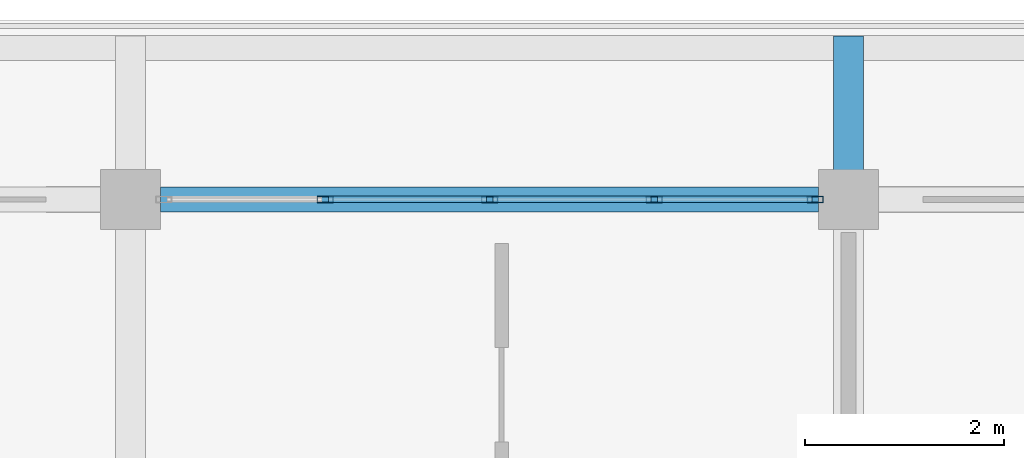
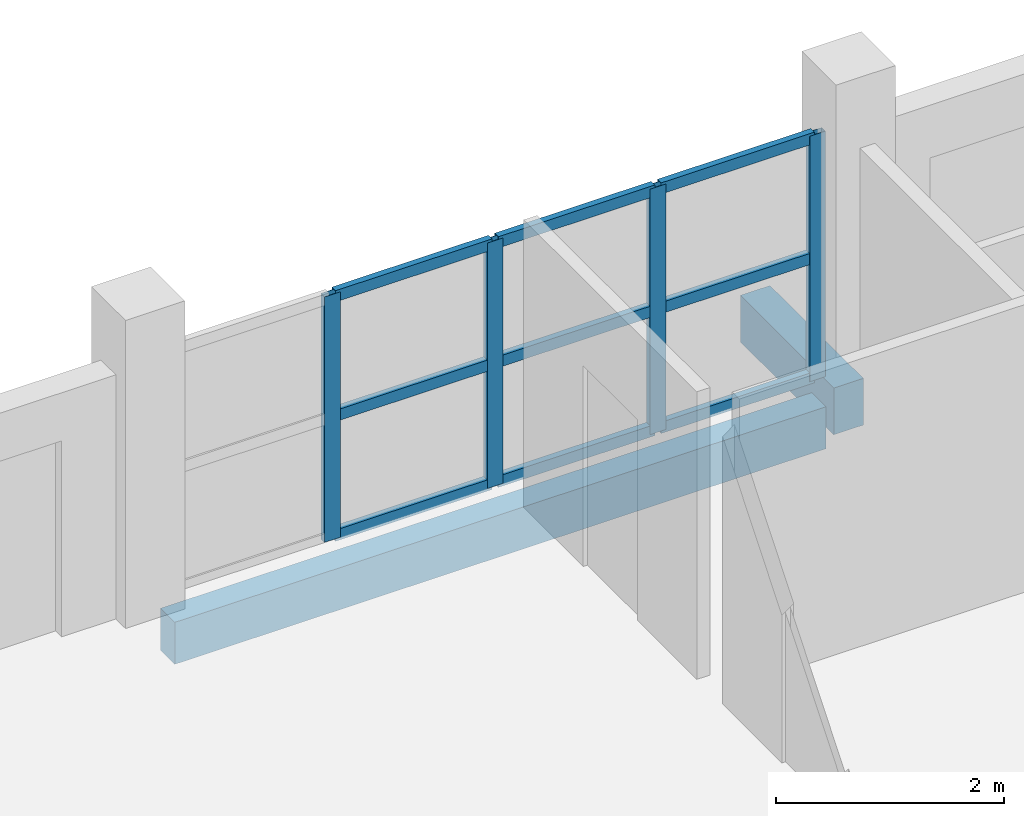
# One storey, part 8 of 60: 13 members, 2 beams, 1 element without a shape of its own.
"""IFC4 building model written with IfcOpenShell, lengths in metres."""

from ifc_helpers import new_model, si_unit, direction, frame, origin, origin_2d, place, context, subcontext, project, spatial, rectangle, hollow_rectangle, extrude, material, material_profile, profile_set, type_object, element, aggregate, save


model = new_model("IFC4")

# Units and contexts
model_context = context("Model", 3, precision=1e-05, world=origin(), true_north=direction((0.0, 1.0)))
body_context = subcontext(model_context, "Body", "Model", "MODEL_VIEW")
ifc_project = project(units=[si_unit("LENGTHUNIT", "METRE"), si_unit("AREAUNIT", "SQUARE_METRE"), si_unit("VOLUMEUNIT", "CUBIC_METRE"), si_unit("PLANEANGLEUNIT", "RADIAN"), si_unit("MASSUNIT", "GRAM", prefix="KILO")], contexts=[model_context])

# Site, building, storey
site_placement = place(None, origin())
site = spatial("IfcSite", under=ifc_project, at=site_placement, CompositionType="ELEMENT")
building_placement = place(site_placement, origin())
building = spatial("IfcBuilding", under=site, at=building_placement, Name="Suanplinth Sawtooth Commons", CompositionType="ELEMENT")
storey_placement = place(building_placement, frame((0.0, 0.0, 31.5)))
storey = spatial("IfcBuildingStorey", under=building, at=storey_placement, Name="L09", CompositionType="ELEMENT", Elevation=31.5)

# Beams
ifc_material_1 = material(Name="Precast concrete C40/50", Category="concrete")
ifc_material_profile_1 = material_profile(ifc_material_1, rectangle(XDim=0.300048828125, YDim=0.5, at=origin_2d()), Name="PC-BM 300x500")
ifc_profile_set_1 = profile_set([ifc_material_profile_1], Name="Precast concrete C40/50")
beam_type_1 = type_object("IfcBeamType", Name="B-07", PredefinedType="BEAM", material=ifc_profile_set_1)
beam_1_placement = place(storey_placement, frame((36.0, 122.39990234375, -0.429931640625), z_axis=(0.0, 1.0, 0.0), x_axis=(-1.0, 0.0, 0.0)))
element("IfcBeam", 1, at=beam_1_placement, inside=storey, type_object=beam_type_1, Name="Balcony Outrigger L09-A-N-5", PredefinedType="BEAM", context=body_context, shape_type="SweptSolid", body=[
    extrude(rectangle(XDim=0.300048828125, YDim=0.5, at=origin_2d()), origin(), (0.0, 0.0, 1.0), 1.64013671875),
])
ifc_material_profile_2 = material_profile(ifc_material_1, rectangle(XDim=0.25, YDim=0.449951171875, at=origin_2d()), Name="PC-SP 250x450")
ifc_profile_set_2 = profile_set([ifc_material_profile_2], Name="Precast concrete C40/50")
beam_type_2 = type_object("IfcBeamType", Name="B-09", PredefinedType="SPANDREL", material=ifc_profile_set_2)
beam_2_placement = place(storey_placement, frame((29.10009765625, 122.39990234375, -0.47509765625), z_axis=(1.0, 0.0, 0.0), x_axis=(0.0, 1.0, 0.0)))
element("IfcBeam", 2, at=beam_2_placement, inside=storey, type_object=beam_type_2, Name="BMX-L09-A-4-17", PredefinedType="SPANDREL", context=body_context, shape_type="SweptSolid", body=[
    extrude(rectangle(XDim=0.25, YDim=0.449951171875, at=origin_2d()), origin(), (0.0, 0.0, 1.0), 6.599853515625),
])

# Curtain wall, members
ifc_material_2 = material(Name="Anodized aluminium and low-E glazing", Category="aluminium")
curtain_wall_type = type_object("IfcCurtainWallType", Name="CW-06", PredefinedType="USERDEFINED", material=ifc_material_2)
curtain_wall_placement = place(storey_placement, origin())
curtain_wall = element("IfcCurtainWall", 3, at=curtain_wall_placement, inside=storey, type_object=curtain_wall_type, Name="Curtain Wall CW-L09-A-LOUNGE-2", ObjectType="CURTAIN WALL", PredefinedType="USERDEFINED")
ifc_material_3 = material(Name="Anodized aluminium 6063-T6", Category="aluminium")
ifc_material_profile_3 = material_profile(ifc_material_3, hollow_rectangle(XDim=0.06494140625, YDim=0.159912109375, WallThickness=0.00390625, at=origin_2d()), Name="ALU-MUL 65x160")
ifc_profile_set_3 = profile_set([ifc_material_profile_3], Name="Anodized aluminium 6063-T6")
member_type_1 = type_object("IfcMemberType", Name="M-13", PredefinedType="MULLION", material=ifc_profile_set_3)
member_1_placement = place(storey_placement, frame((30.75, 122.39990234375, 0.0), z_axis=(0.0, 0.0, 1.0), x_axis=(0.0, 1.0, 0.0)))
member_1 = element("IfcMember", 4, at=member_1_placement, type_object=member_type_1, Name="CW-06 mullion 2", PredefinedType="MULLION", context=body_context, shape_type="SweptSolid", body=[
    extrude(hollow_rectangle(XDim=0.06494140625, YDim=0.159912109375, WallThickness=0.00390625, at=origin_2d()), origin(), (0.0, 0.0, 1.0), 2.6298828125),
])
member_2_placement = place(storey_placement, frame((32.39990234375, 122.39990234375, 0.0), z_axis=(0.0, 0.0, 1.0), x_axis=(0.0, 1.0, 0.0)))
member_2 = element("IfcMember", 5, at=member_2_placement, type_object=member_type_1, Name="CW-06 mullion 3", PredefinedType="MULLION", context=body_context, shape_type="SweptSolid", body=[
    extrude(hollow_rectangle(XDim=0.06494140625, YDim=0.159912109375, WallThickness=0.00390625, at=origin_2d()), origin(), (0.0, 0.0, 1.0), 2.6298828125),
])
member_3_placement = place(storey_placement, frame((34.050048828125, 122.39990234375, 0.0), z_axis=(0.0, 0.0, 1.0), x_axis=(0.0, 1.0, 0.0)))
member_3 = element("IfcMember", 6, at=member_3_placement, type_object=member_type_1, Name="CW-06 mullion 4", PredefinedType="MULLION", context=body_context, shape_type="SweptSolid", body=[
    extrude(hollow_rectangle(XDim=0.06494140625, YDim=0.159912109375, WallThickness=0.00390625, at=origin_2d()), origin(), (0.0, 0.0, 1.0), 2.6298828125),
])
member_4_placement = place(storey_placement, frame((35.66748046875, 122.39990234375, 0.0), z_axis=(0.0, 0.0, 1.0), x_axis=(0.0, 1.0, 0.0)))
member_4 = element("IfcMember", 7, at=member_4_placement, type_object=member_type_1, Name="CW-06 mullion 5", PredefinedType="MULLION", context=body_context, shape_type="SweptSolid", body=[
    extrude(hollow_rectangle(XDim=0.06494140625, YDim=0.159912109375, WallThickness=0.00390625, at=origin_2d()), origin(), (0.0, 0.0, 1.0), 2.6298828125),
])
ifc_material_profile_4 = material_profile(ifc_material_3, hollow_rectangle(XDim=0.06494140625, YDim=0.1201171875, WallThickness=0.00390625, at=origin_2d()), Name="ALU-TRN 65x120")
ifc_profile_set_4 = profile_set([ifc_material_profile_4], Name="Anodized aluminium 6063-T6")
member_type_2 = type_object("IfcMemberType", Name="M-15", PredefinedType="USERDEFINED", material=ifc_profile_set_4)
member_5_placement = place(storey_placement, frame((30.782470703125, 122.39990234375, 0.032470703125), z_axis=(1.0, 0.0, 0.0), x_axis=(0.0, 1.0, 0.0)))
member_5 = element("IfcMember", 8, at=member_5_placement, type_object=member_type_2, Name="CW-06 transom 2.1", ObjectType="TRANSOM", PredefinedType="USERDEFINED", context=body_context, shape_type="SweptSolid", body=[
    extrude(hollow_rectangle(XDim=0.06494140625, YDim=0.1201171875, WallThickness=0.00390625, at=origin_2d()), origin(), (0.0, 0.0, 1.0), 1.5849609375),
])
member_6_placement = place(storey_placement, frame((30.782470703125, 122.39990234375, 1.31494140625), z_axis=(1.0, 0.0, 0.0), x_axis=(0.0, 1.0, 0.0)))
member_6 = element("IfcMember", 9, at=member_6_placement, type_object=member_type_2, Name="CW-06 transom 2.2", ObjectType="TRANSOM", PredefinedType="USERDEFINED", context=body_context, shape_type="SweptSolid", body=[
    extrude(hollow_rectangle(XDim=0.06494140625, YDim=0.1201171875, WallThickness=0.00390625, at=origin_2d()), origin(), (0.0, 0.0, 1.0), 1.5849609375),
])
member_7_placement = place(storey_placement, frame((30.782470703125, 122.39990234375, 2.597412109375), z_axis=(1.0, 0.0, 0.0), x_axis=(0.0, 1.0, 0.0)))
member_7 = element("IfcMember", 10, at=member_7_placement, type_object=member_type_2, Name="CW-06 transom 2.3", ObjectType="TRANSOM", PredefinedType="USERDEFINED", context=body_context, shape_type="SweptSolid", body=[
    extrude(hollow_rectangle(XDim=0.06494140625, YDim=0.1201171875, WallThickness=0.00390625, at=origin_2d()), origin(), (0.0, 0.0, 1.0), 1.5849609375),
])
member_8_placement = place(storey_placement, frame((32.4326171875, 122.39990234375, 0.032470703125), z_axis=(1.0, 0.0, 0.0), x_axis=(0.0, 1.0, 0.0)))
member_8 = element("IfcMember", 11, at=member_8_placement, type_object=member_type_2, Name="CW-06 transom 3.1", ObjectType="TRANSOM", PredefinedType="USERDEFINED", context=body_context, shape_type="SweptSolid", body=[
    extrude(hollow_rectangle(XDim=0.06494140625, YDim=0.1201171875, WallThickness=0.00390625, at=origin_2d()), origin(), (0.0, 0.0, 1.0), 1.5849609375),
])
member_9_placement = place(storey_placement, frame((32.4326171875, 122.39990234375, 1.31494140625), z_axis=(1.0, 0.0, 0.0), x_axis=(0.0, 1.0, 0.0)))
member_9 = element("IfcMember", 12, at=member_9_placement, type_object=member_type_2, Name="CW-06 transom 3.2", ObjectType="TRANSOM", PredefinedType="USERDEFINED", context=body_context, shape_type="SweptSolid", body=[
    extrude(hollow_rectangle(XDim=0.06494140625, YDim=0.1201171875, WallThickness=0.00390625, at=origin_2d()), origin(), (0.0, 0.0, 1.0), 1.5849609375),
])
member_10_placement = place(storey_placement, frame((32.4326171875, 122.39990234375, 2.597412109375), z_axis=(1.0, 0.0, 0.0), x_axis=(0.0, 1.0, 0.0)))
member_10 = element("IfcMember", 13, at=member_10_placement, type_object=member_type_2, Name="CW-06 transom 3.3", ObjectType="TRANSOM", PredefinedType="USERDEFINED", context=body_context, shape_type="SweptSolid", body=[
    extrude(hollow_rectangle(XDim=0.06494140625, YDim=0.1201171875, WallThickness=0.00390625, at=origin_2d()), origin(), (0.0, 0.0, 1.0), 1.5849609375),
])
member_11_placement = place(storey_placement, frame((34.08251953125, 122.39990234375, 0.032470703125), z_axis=(1.0, 0.0, 0.0), x_axis=(0.0, 1.0, 0.0)))
member_11 = element("IfcMember", 14, at=member_11_placement, type_object=member_type_2, Name="CW-06 transom 4.1", ObjectType="TRANSOM", PredefinedType="USERDEFINED", context=body_context, shape_type="SweptSolid", body=[
    extrude(hollow_rectangle(XDim=0.06494140625, YDim=0.1201171875, WallThickness=0.00390625, at=origin_2d()), origin(), (0.0, 0.0, 1.0), 1.552490234375),
])
member_12_placement = place(storey_placement, frame((34.08251953125, 122.39990234375, 1.31494140625), z_axis=(1.0, 0.0, 0.0), x_axis=(0.0, 1.0, 0.0)))
member_12 = element("IfcMember", 15, at=member_12_placement, type_object=member_type_2, Name="CW-06 transom 4.2", ObjectType="TRANSOM", PredefinedType="USERDEFINED", context=body_context, shape_type="SweptSolid", body=[
    extrude(hollow_rectangle(XDim=0.06494140625, YDim=0.1201171875, WallThickness=0.00390625, at=origin_2d()), origin(), (0.0, 0.0, 1.0), 1.552490234375),
])
member_13_placement = place(storey_placement, frame((34.08251953125, 122.39990234375, 2.597412109375), z_axis=(1.0, 0.0, 0.0), x_axis=(0.0, 1.0, 0.0)))
member_13 = element("IfcMember", 16, at=member_13_placement, type_object=member_type_2, Name="CW-06 transom 4.3", ObjectType="TRANSOM", PredefinedType="USERDEFINED", context=body_context, shape_type="SweptSolid", body=[
    extrude(hollow_rectangle(XDim=0.06494140625, YDim=0.1201171875, WallThickness=0.00390625, at=origin_2d()), origin(), (0.0, 0.0, 1.0), 1.552490234375),
])
aggregate(curtain_wall, [member_1, member_2, member_3, member_4, member_5, member_6, member_7, member_8, member_9, member_10, member_11, member_12, member_13])

save(model, "model.ifc")
